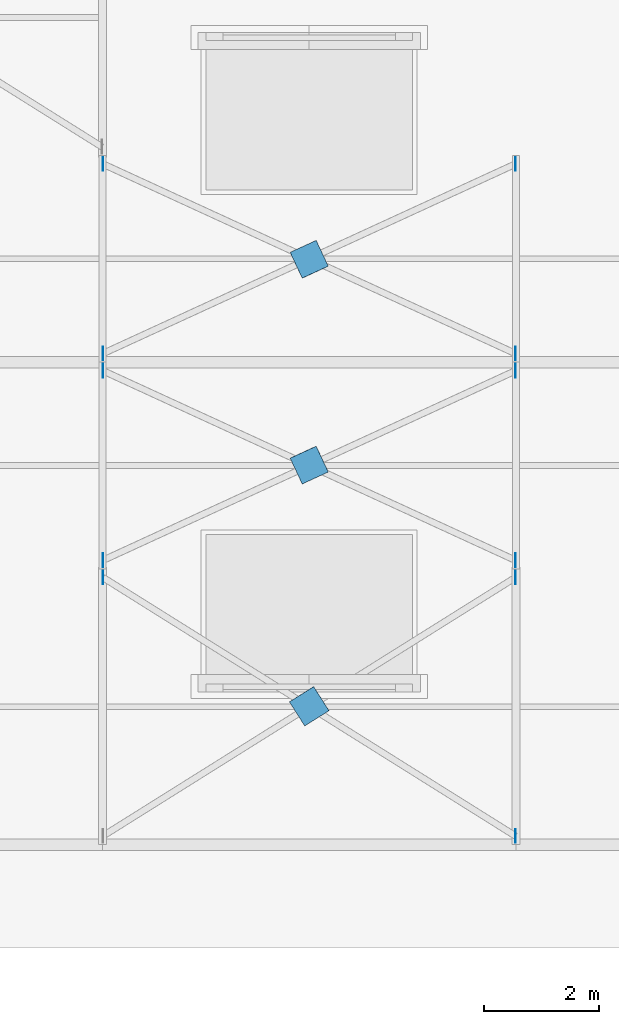
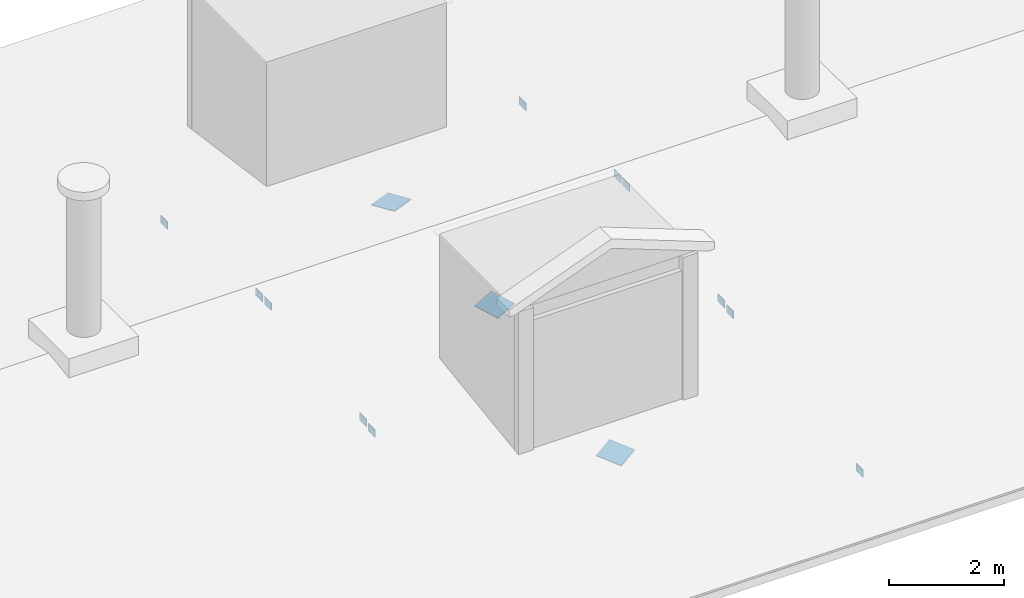
# One storey, part 9 of 24: 14 discrete accessories.
"""IFC4 building model written with IfcOpenShell, lengths in metres."""

from ifc_helpers import new_model, si_unit, direction, frame, origin, origin_2d, place, context, subcontext, project, spatial, rectangle, extrude, material, material_profile, profile_set, type_object, element, save


model = new_model("IFC4")

# Units and contexts
model_context = context("Model", 3, precision=1e-05, world=origin(), true_north=direction((0.0, 1.0)))
body_context = subcontext(model_context, "Body", "Model", "MODEL_VIEW")
ifc_project = project(units=[si_unit("LENGTHUNIT", "METRE"), si_unit("AREAUNIT", "SQUARE_METRE"), si_unit("VOLUMEUNIT", "CUBIC_METRE"), si_unit("PLANEANGLEUNIT", "RADIAN"), si_unit("MASSUNIT", "GRAM", prefix="KILO")], contexts=[model_context])

# Site, building, storey
site_placement = place(None, origin())
site = spatial("IfcSite", under=ifc_project, at=site_placement, CompositionType="ELEMENT")
building_placement = place(site_placement, origin())
building = spatial("IfcBuilding", under=site, at=building_placement, Name="Ussher Court Research Institute", CompositionType="ELEMENT")
storey_placement = place(building_placement, frame((0.0, 0.0, 32.39990234375)))
storey = spatial("IfcBuildingStorey", under=building, at=storey_placement, Name="L07", CompositionType="ELEMENT", Elevation=32.39990234375)

# Discrete accessories
ifc_material_1 = material(Name="Steel S355", Category="steel")
ifc_material_profile_1 = material_profile(ifc_material_1, rectangle(XDim=0.011962890625, YDim=0.239990234375, at=origin_2d()), Name="PL 12x240")
ifc_profile_set_1 = profile_set([ifc_material_profile_1], Name="Steel S355")
discrete_accessory_type_1 = type_object("IfcDiscreteAccessoryType", Name="End plate 12 mm", PredefinedType="ANCHORPLATE", material=ifc_profile_set_1)
for number, where, z_axis, x_axis, name in (
    (1, (46.190673828125, 75.85009765625, 0.527587890625), (0.0, 0.0, 1.0), (1.0, 0.0, 0.0), "GP2 V5 L07-06"),
    (2, (39.00927734375, 75.85009765625, 0.527587890625), (0.0, 0.0, 1.0), (1.0, 0.0, 0.0), "GP2 V5 L07-07"),
    (3, (46.190673828125, 71.35009765625, -0.10498046875), (0.0, 0.0, 1.0), (1.0, 0.0, 0.0), "GP2 V5 L07-08"),
):
    element("IfcDiscreteAccessory", number, at=place(storey_placement, frame(where, z_axis=z_axis, x_axis=x_axis)), inside=storey, type_object=discrete_accessory_type_1, Name=name, PredefinedType="ANCHORPLATE", context=body_context, shape_type="SweptSolid", body=[
        extrude(rectangle(XDim=0.011962890625, YDim=0.239990234375, at=origin_2d()), origin(), (0.0, 0.0, 1.0), 0.159912109375),
    ])
for number, where, z_axis, x_axis, name in (
    (4, (39.009033203125, 76.14990234375, 0.569580078125), (0.0, 0.0, 1.0), (1.0, 0.0, 0.0), "GP2 V5 L07-17"),
    (5, (46.19091796875, 79.449951171875, 1.033447265625), (0.0, 0.0, 1.0), (1.0, 0.0, 0.0), "GP2 V5 L07-18"),
    (6, (39.009033203125, 79.449951171875, 1.033447265625), (0.0, 0.0, 1.0), (1.0, 0.0, 0.0), "GP2 V5 L07-19"),
    (7, (46.19091796875, 76.14990234375, 0.569580078125), (0.0, 0.0, 1.0), (1.0, 0.0, 0.0), "GP2 V5 L07-20"),
    (8, (39.009033203125, 79.75, 1.033447265625), (0.0, 0.0, 1.0), (1.0, 0.0, 0.0), "GP2 V5 L07-29"),
    (9, (46.19091796875, 83.050048828125, 0.569580078125), (0.0, 0.0, 1.0), (1.0, 0.0, 0.0), "GP2 V5 L07-30"),
    (10, (39.009033203125, 83.050048828125, 0.569580078125), (0.0, 0.0, 1.0), (1.0, 0.0, 0.0), "GP2 V5 L07-31"),
    (11, (46.19091796875, 79.75, 1.033447265625), (0.0, 0.0, 1.0), (1.0, 0.0, 0.0), "GP2 V5 L07-32"),
):
    element("IfcDiscreteAccessory", number, at=place(storey_placement, frame(where, z_axis=z_axis, x_axis=x_axis)), inside=storey, type_object=discrete_accessory_type_1, Name=name, PredefinedType="ANCHORPLATE", context=body_context, shape_type="SweptSolid", body=[
        extrude(rectangle(XDim=0.011962890625, YDim=0.239990234375, at=origin_2d()), origin(), (0.0, 0.0, 1.0), 0.16015625),
    ])
ifc_material_2 = material(Name="Steel S355", Category="steel")
ifc_material_profile_2 = material_profile(ifc_material_2, rectangle(XDim=0.5, YDim=0.011962890625, at=origin_2d()), Name="PL 500x12")
ifc_profile_set_2 = profile_set([ifc_material_profile_2], Name="Steel S355")
discrete_accessory_type_2 = type_object("IfcDiscreteAccessoryType", Name="Gusset plate 12 mm", PredefinedType="ANCHORPLATE", material=ifc_profile_set_2)
for number, where, z_axis, x_axis, name in (
    (12, (42.388671875, 73.47607421875, 0.213134765625), (0.845162253264, 0.529263941386, 0.074702382871), (0.534509764332, -0.836940162325, -0.117603046393), "GP1 V5 L07-02"),
    (13, (42.373291015625, 77.7041015625, 0.8076171875), (0.90705616638, 0.416913867647, 0.058582744868), (0.421009632756, -0.89822775715, -0.126244942123), "GP1 V5 L07-05"),
    (14, (42.373291015625, 81.287353515625, 0.8369140625), (0.90705616638, 0.416913867647, -0.058582744868), (0.421009632756, -0.89822775715, 0.126244942123), "GP1 V5 L07-08"),
):
    element("IfcDiscreteAccessory", number, at=place(storey_placement, frame(where, z_axis=z_axis, x_axis=x_axis)), inside=storey, type_object=discrete_accessory_type_2, Name=name, PredefinedType="ANCHORPLATE", context=body_context, shape_type="SweptSolid", body=[
        extrude(rectangle(XDim=0.5, YDim=0.011962890625, at=origin_2d()), origin(), (0.0, 0.0, 1.0), 0.5),
    ])

save(model, "model.ifc")
